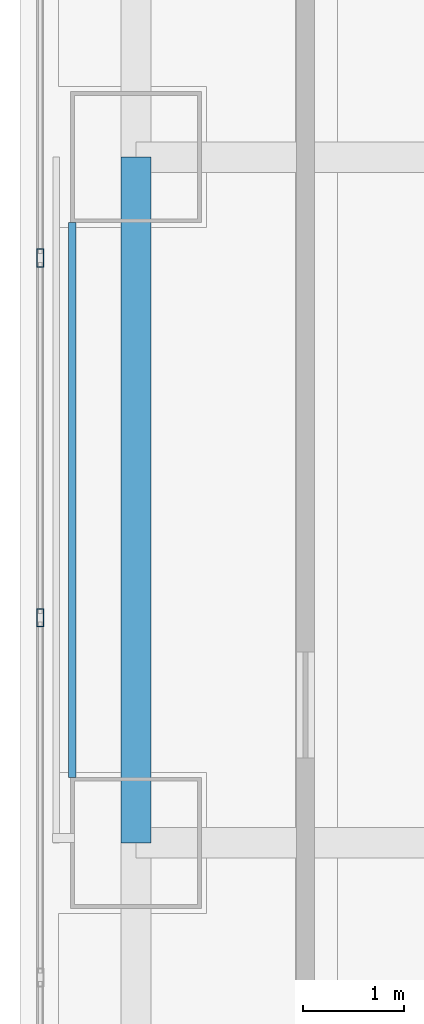
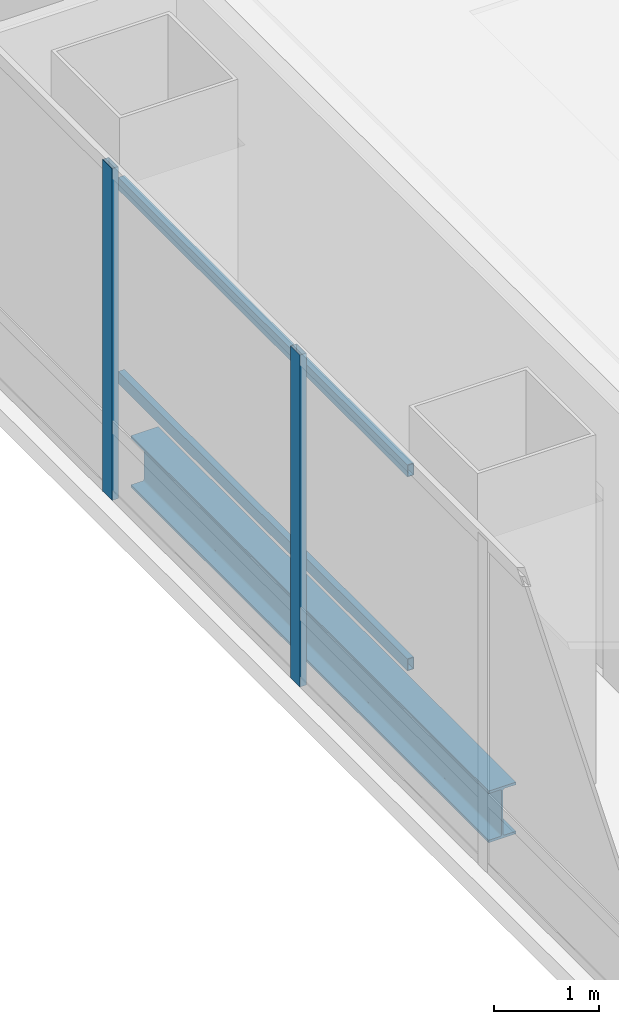
# One storey, part 10 of 42: 4 members, 1 beam, 1 element without a shape of its own.
"""IFC4 building model written with IfcOpenShell, lengths in metres."""

import ifcopenshell
import ifcopenshell.guid

model = None  # the IFC model being written
_history = None  # IfcOwnerHistory: only IFC2X3 demands one
_inside = {}  # id of a spatial element -> (the spatial element, [elements in it])
_under = {}  # id of a project, library or spatial element -> (it, [spatial elements below it])
_declared = {}  # id of a project -> (the project, [libraries it declares])
_typed = {}  # id of a type object -> (the type object, [elements of that type])
_made_of = {}  # id of a material, layer set ... -> (it, [elements and type objects made of it])


def new_model(schema):
    """Start an empty IFC model of exactly this schema.

    Asked for "IFC4X3", IfcOpenShell would pick the latest addendum, in which some entities
    have other attributes; the version numbers below select the first issue.
    IFC2X3 requires an IfcOwnerHistory on every rooted entity: one is made here for all.
    """
    global model, _history
    if schema == "IFC4X3":
        model = ifcopenshell.file(schema_version=(4, 3, 0, 0))
    else:
        model = ifcopenshell.file(schema=schema)
    _inside.clear()
    _under.clear()
    _declared.clear()
    _typed.clear()
    _made_of.clear()
    _history = None
    if model.schema == "IFC2X3":
        org = make("IfcOrganization", Name="unknown")
        user = make(
            "IfcPersonAndOrganization",
            ThePerson=make("IfcPerson", FamilyName="unknown"),
            TheOrganization=org,
        )
        app = make(
            "IfcApplication",
            ApplicationDeveloper=org,
            Version="unknown",
            ApplicationFullName="unknown",
            ApplicationIdentifier="unknown",
        )
        _history = make(
            "IfcOwnerHistory",
            OwningUser=user,
            OwningApplication=app,
            ChangeAction="ADDED",
            CreationDate=0,
        )
    return model


def make(cls, **values):
    """One entity of the class cls with the attributes given. An attribute that is None is left unset."""
    return model.create_entity(
        cls, **{name: value for name, value in values.items() if value is not None}
    )


def rooted(cls, **values):
    """An entity with a GlobalId (a new one), such as an element, a storey or a relation."""
    return make(cls, GlobalId=ifcopenshell.guid.new(), OwnerHistory=_history, **values)


def si_unit(unit_type, name, prefix=None):
    """IfcSIUnit, for example si_unit("LENGTHUNIT", "METRE", prefix="MILLI")."""
    return make("IfcSIUnit", UnitType=unit_type, Prefix=prefix, Name=name)


def assignment(units):
    """IfcUnitAssignment: the units of a project."""
    return None if units is None else make("IfcUnitAssignment", Units=units)


def point(xyz):
    """IfcCartesianPoint."""
    return None if xyz is None else make("IfcCartesianPoint", Coordinates=xyz)


def direction(xyz):
    """IfcDirection."""
    return None if xyz is None else make("IfcDirection", DirectionRatios=xyz)


def frame(location, z_axis=None, x_axis=None):
    """IfcAxis2Placement3D, a coordinate frame: its origin and axes. An axis left out is left unset."""
    return make(
        "IfcAxis2Placement3D",
        Location=point(location),
        Axis=direction(z_axis),
        RefDirection=direction(x_axis),
    )


def frame_2d(location, x_axis=None):
    """IfcAxis2Placement2D, a coordinate frame in the plane: its origin and x axis."""
    return make(
        "IfcAxis2Placement2D", Location=point(location), RefDirection=direction(x_axis)
    )


def origin():
    """The frame at (0, 0, 0) with its axes left unset."""
    return frame((0.0, 0.0, 0.0))


def origin_2d():
    """The frame at (0, 0) in the plane with its x axis left unset."""
    return frame_2d((0.0, 0.0))


def place(relative_to, where):
    """IfcLocalPlacement: puts the frame where relative to a parent placement (None: the world)."""
    return make(
        "IfcLocalPlacement", PlacementRelTo=relative_to, RelativePlacement=where
    )


def context(
    kind, dimensions, precision=None, world=None, true_north=None, identifier=None
):
    """IfcGeometricRepresentationContext, for example the 3D "Model" context."""
    return make(
        "IfcGeometricRepresentationContext",
        ContextIdentifier=identifier,
        ContextType=kind,
        CoordinateSpaceDimension=dimensions,
        Precision=precision,
        WorldCoordinateSystem=world,
        TrueNorth=true_north,
    )


def subcontext(parent, identifier, kind, view, scale=None):
    """IfcGeometricRepresentationSubContext, for example "Body" below "Model"."""
    return make(
        "IfcGeometricRepresentationSubContext",
        ContextIdentifier=identifier,
        ContextType=kind,
        ParentContext=parent,
        TargetScale=scale,
        TargetView=view,
    )


def project(units=None, contexts=None):
    """IfcProject with its units and contexts."""
    return rooted(
        "IfcProject",
        Name="project",
        RepresentationContexts=contexts,
        UnitsInContext=assignment(units),
    )


def spatial(cls, under=None, at=None, **own):
    """A site, building, storey or space (cls), placed at a placement, below another one or the project."""
    s = rooted(cls, ObjectPlacement=at, **own)
    if under is not None:
        _under.setdefault(under.id(), (under, []))[1].append(s)
    return s


def profile(cls, at=None, kind="AREA", **sizes):
    """A parametric profile (cls). Its sizes go by their IFC names, for example OverallWidth=200.0."""
    return make(cls, ProfileType=kind, Position=at, **sizes)


def hollow_rectangle(**sizes):
    """IfcRectangleHollowProfileDef."""
    return profile("IfcRectangleHollowProfileDef", **sizes)


def i_section(**sizes):
    """IfcIShapeProfileDef."""
    return profile("IfcIShapeProfileDef", **sizes)


def extrude(swept, where, along, depth):
    """IfcExtrudedAreaSolid: the profile swept, set in the frame where, extruded along a direction by depth."""
    return make(
        "IfcExtrudedAreaSolid",
        SweptArea=swept,
        Position=where,
        ExtrudedDirection=direction(along),
        Depth=depth,
    )


def shape(context_of_items, identifier, shape_type, items):
    """IfcShapeRepresentation: the items that make up one representation, for example the "Body"."""
    return make(
        "IfcShapeRepresentation",
        ContextOfItems=context_of_items,
        RepresentationIdentifier=identifier,
        RepresentationType=shape_type,
        Items=items,
    )


def material(Name=None, Category=None):
    """IfcMaterial."""
    return make("IfcMaterial", Name=Name, Category=Category)


def material_profile(
    of_material, cross_section, Name=None, Category=None, Priority=None
):
    """IfcMaterialProfile: a cross section and its material."""
    return make(
        "IfcMaterialProfile",
        Name=Name,
        Material=of_material,
        Profile=cross_section,
        Priority=Priority,
        Category=Category,
    )


def profile_set(profiles, Name=None, composite=None):
    """IfcMaterialProfileSet."""
    return make(
        "IfcMaterialProfileSet",
        Name=Name,
        MaterialProfiles=profiles,
        CompositeProfile=composite,
    )


def made_of(thing, what):
    """Note that an element or type object is made of a material, layer set ...; save() writes the relation."""
    if what is not None:
        _made_of.setdefault(what.id(), (what, []))[1].append(thing)
    return thing


def type_object(cls, material=None, **own):
    """A type object (cls), such as IfcWallType, which elements share."""
    return made_of(rooted(cls, **own), material)


def element(
    cls,
    number,
    at=None,
    inside=None,
    cuts=None,
    type_object=None,
    material=None,
    context=None,
    identifier="Body",
    shape_type=None,
    held_by="IfcProductDefinitionShape",
    body=None,
    shapes=None,
    **own,
):
    """One element of the class cls, such as IfcWall. Its Tag is "e" and its number.

    at: its placement. inside: the storey or other place that contains it. cuts: it is an
    opening in that element (IfcRelVoidsElement). A single representation is given by context,
    identifier, shape_type and body (its items); several are given by shapes. held_by: the class
    of the entity that holds the representations. save() writes the other relations.
    """
    e = rooted(cls, Tag="e%d" % number, ObjectPlacement=at, **own)
    if body is not None:
        shapes = [shape(context, identifier, shape_type, body)]
    if shapes is not None:
        e.Representation = make(held_by, Representations=shapes)
    if inside is not None:
        _inside.setdefault(inside.id(), (inside, []))[1].append(e)
    if cuts is not None:
        rooted(
            "IfcRelVoidsElement", RelatingBuildingElement=cuts, RelatedOpeningElement=e
        )
    if type_object is not None:
        _typed.setdefault(type_object.id(), (type_object, []))[1].append(e)
    return made_of(e, material)


def aggregate(whole, parts):
    """IfcRelAggregates: a whole, such as a stair, and the parts it consists of."""
    return rooted("IfcRelAggregates", RelatingObject=whole, RelatedObjects=parts)


def save(model, path):
    """Write the relations noted so far, then the file.

    IfcRelAggregates (storeys below a building ...), IfcRelContainedInSpatialStructure (elements
    in a storey), IfcRelDefinesByType, IfcRelAssociatesMaterial and IfcRelDeclares: one each for
    every whole, place, type object, material and project.
    """
    for whole, parts in _under.values():
        aggregate(whole, parts)
    for where, things in _inside.values():
        rooted(
            "IfcRelContainedInSpatialStructure",
            RelatedElements=things,
            RelatingStructure=where,
        )
    for kind, things in _typed.values():
        rooted("IfcRelDefinesByType", RelatedObjects=things, RelatingType=kind)
    for what, things in _made_of.values():
        rooted("IfcRelAssociatesMaterial", RelatedObjects=things, RelatingMaterial=what)
    for by, libraries in _declared.values():
        rooted("IfcRelDeclares", RelatingContext=by, RelatedDefinitions=libraries)
    model.write(path)


model = new_model("IFC4")

# Units and contexts
model_context = context("Model", 3, precision=1e-05, world=origin(), true_north=direction((0.0, 1.0)))
body_context = subcontext(model_context, "Body", "Model", "MODEL_VIEW")
ifc_project = project(units=[si_unit("LENGTHUNIT", "METRE"), si_unit("AREAUNIT", "SQUARE_METRE"), si_unit("VOLUMEUNIT", "CUBIC_METRE"), si_unit("PLANEANGLEUNIT", "RADIAN"), si_unit("MASSUNIT", "GRAM", prefix="KILO")], contexts=[model_context])

# Site, building, storey
site_placement = place(None, origin())
site = spatial("IfcSite", under=ifc_project, at=site_placement, CompositionType="ELEMENT")
building_placement = place(site_placement, origin())
building = spatial("IfcBuilding", under=site, at=building_placement, Name="Punatoya Terracotta Tower", CompositionType="ELEMENT")
storey_placement = place(building_placement, frame((0.0, 0.0, 255.449951171875)))
storey = spatial("IfcBuildingStorey", under=building, at=storey_placement, Name="L60", CompositionType="ELEMENT", Elevation=255.449951171875)

# Beam
ifc_material_1 = material(Name="Steel S355", Category="steel")
ifc_material_profile_1 = material_profile(ifc_material_1, i_section(OverallWidth=0.300048828125, OverallDepth=0.60009765625, WebThickness=0.015380859375, FlangeThickness=0.030029296875, FilletRadius=0.01806640625, at=origin_2d()))
ifc_profile_set_1 = profile_set([ifc_material_profile_1], Name="Steel S355")
beam_type = type_object("IfcBeamType", Name="BM-PRI-600", PredefinedType="BEAM", material=ifc_profile_set_1)
beam_placement = place(storey_placement, frame((-19.10009765625, -3.39990234375, -0.5), z_axis=(0.0, 1.0, 0.0), x_axis=(-1.0, 0.0, 0.0)))
element("IfcBeam", 1, at=beam_placement, inside=storey, type_object=beam_type, Name="BM-L60-RG-W2", PredefinedType="BEAM", context=body_context, shape_type="SweptSolid", body=[
    extrude(i_section(OverallWidth=0.300048828125, OverallDepth=0.60009765625, WebThickness=0.015380859375, FlangeThickness=0.030029296875, FilletRadius=0.01806640625, at=origin_2d()), origin(), (0.0, 0.0, 1.0), 6.7998046875),
])

# Curtain wall, members
ifc_material_2 = material(Name="Aluminium 6063-T6 + Double Low-E Glass", Category="aluminium")
curtain_wall_type = type_object("IfcCurtainWallType", Name="CW-M3", PredefinedType="NOTDEFINED", material=ifc_material_2)
curtain_wall_placement = place(storey_placement, origin())
curtain_wall = element("IfcCurtainWall", 2, at=curtain_wall_placement, inside=storey, type_object=curtain_wall_type, Name="L60 Curtain Wall CW-L60-W13-1", PredefinedType="NOTDEFINED")
ifc_material_3 = material(Name="Aluminium 6063-T6", Category="aluminium")
ifc_material_profile_2 = material_profile(ifc_material_3, hollow_rectangle(XDim=0.070068359375, YDim=0.179931640625, WallThickness=0.00390625, at=origin_2d()))
ifc_profile_set_2 = profile_set([ifc_material_profile_2], Name="Aluminium 6063-T6")
member_type_1 = type_object("IfcMemberType", Name="CW-MUL-M3", PredefinedType="MULLION", material=ifc_profile_set_2)
member_1_placement = place(storey_placement, frame((-20.050048828125, 2.39990234375, 0.0), z_axis=(0.0, 0.0, 1.0), x_axis=(1.0, 0.0, 0.0)))
member_1 = element("IfcMember", 3, at=member_1_placement, type_object=member_type_1, Name="CW-L60-W13-1 Mullion 05", PredefinedType="MULLION", context=body_context, shape_type="SweptSolid", body=[
    extrude(hollow_rectangle(XDim=0.070068359375, YDim=0.179931640625, WallThickness=0.00390625, at=origin_2d()), origin(), (0.0, 0.0, 1.0), 3.85009765625),
])
member_2_placement = place(storey_placement, frame((-20.050048828125, -1.16748046875, 0.0), z_axis=(0.0, 0.0, 1.0), x_axis=(1.0, 0.0, 0.0)))
member_2 = element("IfcMember", 4, at=member_2_placement, type_object=member_type_1, Name="CW-L60-W13-1 Mullion 06", PredefinedType="MULLION", context=body_context, shape_type="SweptSolid", body=[
    extrude(hollow_rectangle(XDim=0.070068359375, YDim=0.179931640625, WallThickness=0.00390625, at=origin_2d()), origin(), (0.0, 0.0, 1.0), 3.85009765625),
])
aggregate(curtain_wall, [member_1, member_2])

# Members
ifc_material_profile_3 = material_profile(ifc_material_1, hollow_rectangle(XDim=0.070068359375, YDim=0.139892578125, WallThickness=0.006103515625, at=origin_2d()))
ifc_profile_set_3 = profile_set([ifc_material_profile_3], Name="Steel S355")
member_type_2 = type_object("IfcMemberType", Name="MEM-BAG-RAIL", PredefinedType="USERDEFINED", material=ifc_profile_set_3)
for number, where, z_axis, x_axis, name in (
    (5, (-19.73193359375, -2.75048828125, 1.050048828125), (0.0, 1.0, 0.0), (-1.0, 0.0, 0.0), "L60 Terracotta Baguette Carrier Rail BAG-L60-W-R1"),
    (6, (-19.73193359375, -2.75048828125, 3.300048828125), (0.0, 1.0, 0.0), (-1.0, 0.0, 0.0), "L60 Terracotta Baguette Carrier Rail BAG-L60-W-R2"),
):
    element("IfcMember", number, at=place(storey_placement, frame(where, z_axis=z_axis, x_axis=x_axis)), inside=storey, type_object=member_type_2, Name=name, ObjectType="BAGUETTE", PredefinedType="USERDEFINED", context=body_context, shape_type="SweptSolid", body=[
        extrude(hollow_rectangle(XDim=0.070068359375, YDim=0.139892578125, WallThickness=0.006103515625, at=origin_2d()), origin(), (0.0, 0.0, 1.0), 5.5009765625),
    ])

save(model, "model.ifc")
